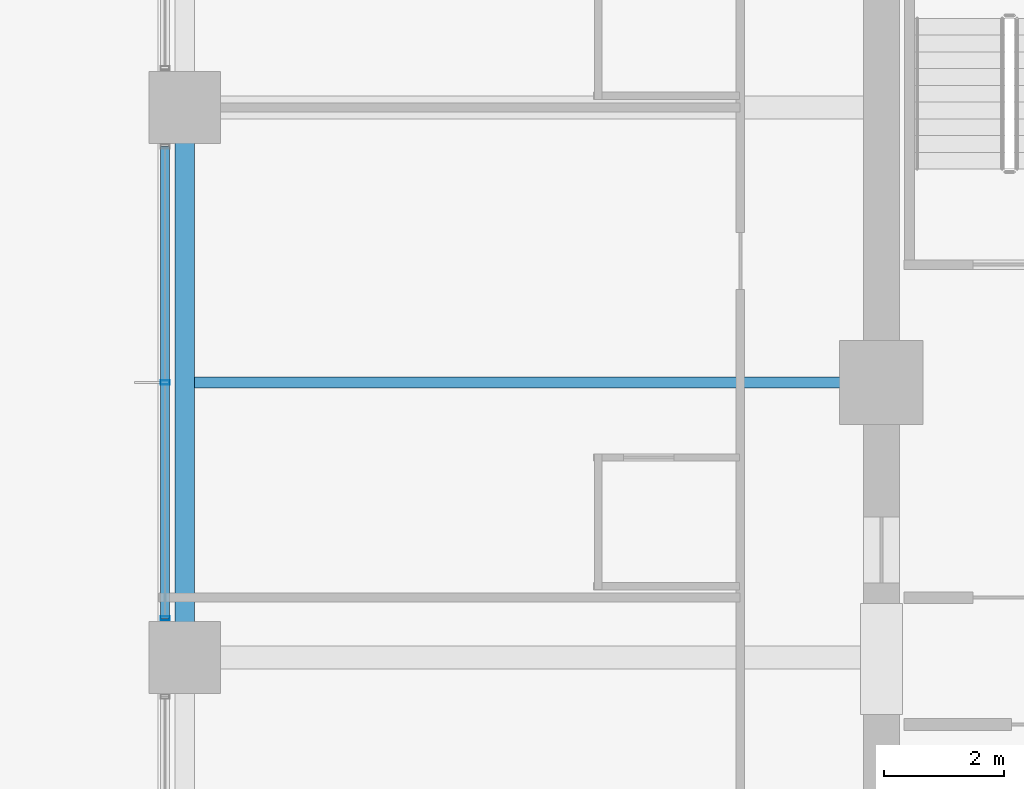
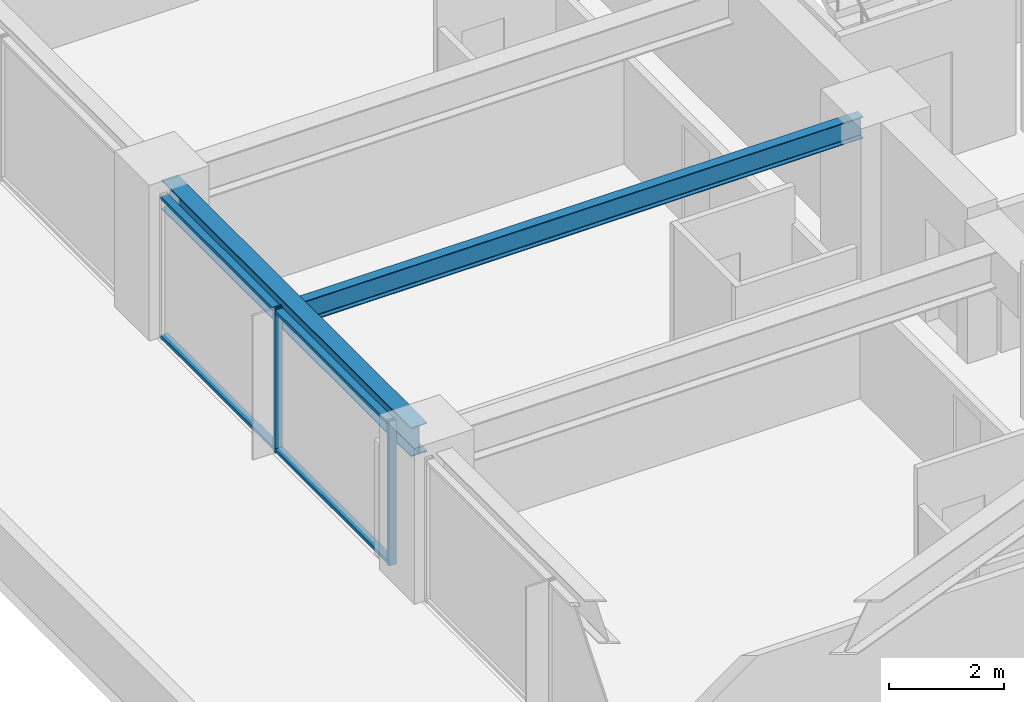
# One storey, part 8 of 36: 4 members, 2 beams, 1 element without a shape of its own.
"""IFC4 building model written with IfcOpenShell, lengths in metres."""

from ifc_helpers import new_model, si_unit, direction, frame, origin, origin_2d, place, context, subcontext, project, spatial, hollow_rectangle, i_section, extrude, material, material_profile, profile_set, type_object, element, aggregate, save


model = new_model("IFC4")

# Units and contexts
model_context = context("Model", 3, precision=1e-05, world=origin(), true_north=direction((0.0, 1.0)))
body_context = subcontext(model_context, "Body", "Model", "MODEL_VIEW")
ifc_project = project(units=[si_unit("LENGTHUNIT", "METRE"), si_unit("AREAUNIT", "SQUARE_METRE"), si_unit("VOLUMEUNIT", "CUBIC_METRE"), si_unit("PLANEANGLEUNIT", "RADIAN"), si_unit("MASSUNIT", "GRAM", prefix="KILO")], contexts=[model_context])

# Site, building, storey
site_placement = place(None, origin())
site = spatial("IfcSite", under=ifc_project, at=site_placement, CompositionType="ELEMENT")
building_placement = place(site_placement, origin())
building = spatial("IfcBuilding", under=site, at=building_placement, Name="Kolvaren Belvedere", CompositionType="ELEMENT")
storey_placement = place(building_placement, frame((0.0, 0.0, 23.800048828125)))
storey = spatial("IfcBuildingStorey", under=building, at=storey_placement, Name="L06", CompositionType="ELEMENT", Elevation=23.800048828125)

# Beams
ifc_material_1 = material(Name="Structural steel ASTM A992 Grade 50", Category="steel")
ifc_material_profile_1 = material_profile(ifc_material_1, i_section(OverallWidth=0.19091796875, OverallDepth=0.4599609375, WebThickness=0.010009765625, FlangeThickness=0.01611328125, FilletRadius=0.014892578125, at=origin_2d()), Name="W18X55")
ifc_profile_set_1 = profile_set([ifc_material_profile_1], Name="Structural steel ASTM A992 Grade 50")
beam_type_1 = type_object("IfcBeamType", Name="BM-JOIST-W18X55", PredefinedType="BEAM", material=ifc_profile_set_1)
beam_1_placement = place(storey_placement, frame((-10.199951171875, 0.0, 2.829833984375), z_axis=(-1.0, 0.0, 0.0), x_axis=(0.0, -1.0, 0.0)))
element("IfcBeam", 1, at=beam_1_placement, inside=storey, type_object=beam_type_1, Name="L06 West Centre Floor Beam", PredefinedType="BEAM", context=body_context, shape_type="SweptSolid", body=[
    extrude(i_section(OverallWidth=0.19091796875, OverallDepth=0.4599609375, WebThickness=0.010009765625, FlangeThickness=0.01611328125, FilletRadius=0.014892578125, at=origin_2d()), origin(), (0.0, 0.0, 1.0), 11.1875),
])
ifc_material_2 = material(Name="Structural steel ASTM A992 Grade 50", Category="steel")
ifc_material_profile_2 = material_profile(ifc_material_2, i_section(OverallWidth=0.324951171875, OverallDepth=0.615966796875, WebThickness=0.013916015625, FlangeThickness=0.021484375, FilletRadius=0.02001953125, at=origin_2d()), Name="W24X117")
ifc_profile_set_2 = profile_set([ifc_material_profile_2], Name="Structural steel ASTM A992 Grade 50")
beam_type_2 = type_object("IfcBeamType", Name="BM-SPAN-W24X117", PredefinedType="SPANDREL", material=ifc_profile_set_2)
beam_2_placement = place(storey_placement, frame((-21.550048828125, 4.330078125, 2.751953125), z_axis=(0.0, -1.0, 0.0), x_axis=(1.0, 0.0, 0.0)))
element("IfcBeam", 2, at=beam_2_placement, inside=storey, type_object=beam_type_2, Name="L06 Perimeter Spandrel W3-W2", PredefinedType="SPANDREL", context=body_context, shape_type="SweptSolid", body=[
    extrude(i_section(OverallWidth=0.324951171875, OverallDepth=0.615966796875, WebThickness=0.013916015625, FlangeThickness=0.021484375, FilletRadius=0.02001953125, at=origin_2d()), origin(), (0.0, 0.0, 1.0), 8.66015625),
])

# Curtain wall, members
ifc_material_3 = material(Name="Anodised pale-metal aluminium AA 6063-T6", Category="aluminium")
curtain_wall_type = type_object("IfcCurtainWallType", Name="CW-Z1-LOW", PredefinedType="NOTDEFINED", material=ifc_material_3)
curtain_wall_placement = place(storey_placement, origin())
curtain_wall = element("IfcCurtainWall", 3, at=curtain_wall_placement, inside=storey, type_object=curtain_wall_type, Name="L06 Unitised Curtain Wall FCW-L06-W-B2", PredefinedType="NOTDEFINED")
ifc_material_4 = material(Name="Anodised pale-metal aluminium AA 6063-T6", Category="aluminium")
ifc_material_profile_3 = material_profile(ifc_material_4, hollow_rectangle(XDim=0.070068359375, YDim=0.14990234375, WallThickness=0.004150390625, at=origin_2d()), Name="ALU-MUL-150X70")
ifc_profile_set_3 = profile_set([ifc_material_profile_3], Name="Anodised pale-metal aluminium AA 6063-T6")
member_type_1 = type_object("IfcMemberType", Name="CW-MUL-150", PredefinedType="MULLION", material=ifc_profile_set_3)
member_1_placement = place(storey_placement, frame((-21.8798828125, -3.945068359375, 0.0), z_axis=(0.0, 0.0, 1.0), x_axis=(0.0, 1.0, 0.0)))
member_1 = element("IfcMember", 4, at=member_1_placement, type_object=member_type_1, Name="FCW-L06-W-B2 Unitised Mullion 1", PredefinedType="MULLION", context=body_context, shape_type="SweptSolid", body=[
    extrude(hollow_rectangle(XDim=0.070068359375, YDim=0.14990234375, WallThickness=0.004150390625, at=origin_2d()), origin(), (0.0, 0.0, 1.0), 3.06005859375),
])
member_2_placement = place(storey_placement, frame((-21.8798828125, 0.0, 0.0), z_axis=(0.0, 0.0, 1.0), x_axis=(0.0, 1.0, 0.0)))
member_2 = element("IfcMember", 5, at=member_2_placement, type_object=member_type_1, Name="FCW-L06-W-B2 Unitised Mullion 2", PredefinedType="MULLION", context=body_context, shape_type="SweptSolid", body=[
    extrude(hollow_rectangle(XDim=0.070068359375, YDim=0.14990234375, WallThickness=0.004150390625, at=origin_2d()), origin(), (0.0, 0.0, 1.0), 3.06005859375),
])
ifc_material_5 = material(Name="Anodised pale-metal aluminium AA 6063-T6", Category="aluminium")
ifc_material_profile_4 = material_profile(ifc_material_5, hollow_rectangle(XDim=0.06494140625, YDim=0.14990234375, WallThickness=0.00390625, at=origin_2d()), Name="ALU-TRN-150X65")
ifc_profile_set_4 = profile_set([ifc_material_profile_4], Name="Anodised pale-metal aluminium AA 6063-T6")
member_type_2 = type_object("IfcMemberType", Name="CW-TRN-150", PredefinedType="USERDEFINED", material=ifc_profile_set_4)
member_3_placement = place(storey_placement, frame((-21.8798828125, -3.945068359375, 0.06005859375), z_axis=(0.0, 1.0, 0.0), x_axis=(0.0, 0.0, 1.0)))
member_3 = element("IfcMember", 6, at=member_3_placement, type_object=member_type_2, Name="FCW-L06-W-B2 Sill Transom", ObjectType="TRANSOM", PredefinedType="USERDEFINED", context=body_context, shape_type="SweptSolid", body=[
    extrude(hollow_rectangle(XDim=0.06494140625, YDim=0.14990234375, WallThickness=0.00390625, at=origin_2d()), origin(), (0.0, 0.0, 1.0), 7.89013671875),
])
member_4_placement = place(storey_placement, frame((-21.8798828125, -3.945068359375, 3.0), z_axis=(0.0, 1.0, 0.0), x_axis=(0.0, 0.0, 1.0)))
member_4 = element("IfcMember", 7, at=member_4_placement, type_object=member_type_2, Name="FCW-L06-W-B2 Head Transom", ObjectType="TRANSOM", PredefinedType="USERDEFINED", context=body_context, shape_type="SweptSolid", body=[
    extrude(hollow_rectangle(XDim=0.06494140625, YDim=0.14990234375, WallThickness=0.00390625, at=origin_2d()), origin(), (0.0, 0.0, 1.0), 7.89013671875),
])
aggregate(curtain_wall, [member_1, member_2, member_3, member_4])

save(model, "model.ifc")
